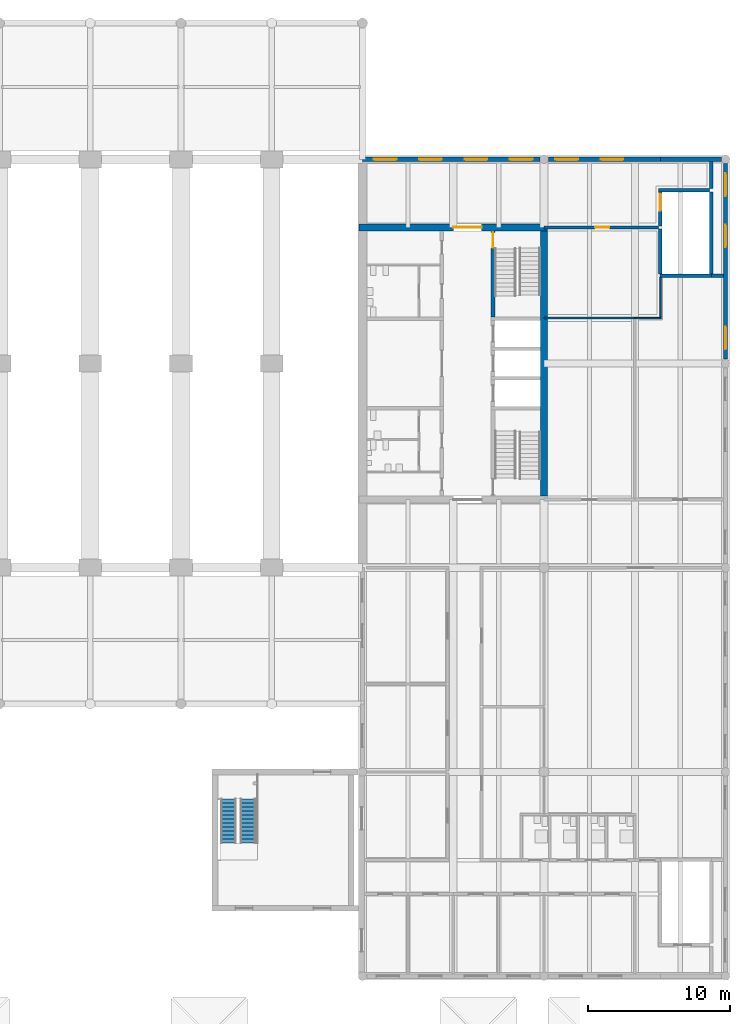
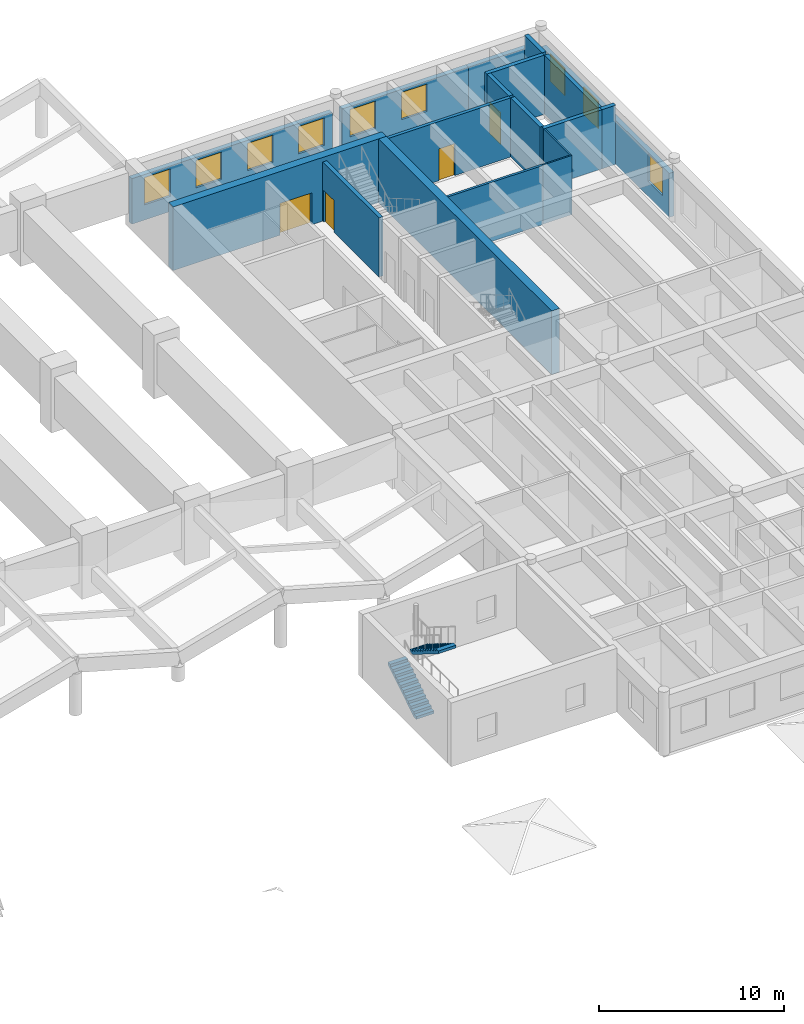
# One storey, part 13 of 19: 18 walls, 9 windows, 4 doors, 2 stair flights, 13 openings, 1 element without a shape of its own.
"""IFC4 building model written with IfcOpenShell, lengths in metres."""

from ifc_helpers import new_model, si_unit, direction, frame, frame_2d, origin, place, context, subcontext, project, spatial, polyline, rectangle, outline, extrude, material, layer, layer_set, type_object, element, fill, aggregate, save


model = new_model("IFC4")

# Units and contexts
model_context = context("Model", 3, precision=1e-05, world=origin(), true_north=direction((0.0, 1.0)))
body_context = subcontext(model_context, "Body", "Model", "MODEL_VIEW")
ifc_project = project(units=[si_unit("LENGTHUNIT", "METRE"), si_unit("AREAUNIT", "SQUARE_METRE"), si_unit("VOLUMEUNIT", "CUBIC_METRE"), si_unit("PLANEANGLEUNIT", "RADIAN"), si_unit("MASSUNIT", "GRAM", prefix="KILO")], contexts=[model_context])

# Site, building, storey
site_placement = place(None, origin())
site = spatial("IfcSite", under=ifc_project, at=site_placement, CompositionType="ELEMENT")
building_placement = place(site_placement, origin())
building = spatial("IfcBuilding", under=site, at=building_placement, Name="Fogon Plaza Fire Station and Headquarters Tower", CompositionType="ELEMENT")
storey_placement = place(building_placement, frame((0.0, 0.0, 4.199951171875)))
storey = spatial("IfcBuildingStorey", under=building, at=storey_placement, Name="L01", CompositionType="ELEMENT", Elevation=4.199951171875)

# Wall
ifc_material_1 = material(Name="Acoustic Gypsum Partition")
ifc_layer_1 = layer(ifc_material_1, 0.14990234375)
ifc_layer_set_1 = layer_set([ifc_layer_1], Name="Acoustic Gypsum Partition")
wall_type_1 = type_object("IfcWallType", Name="Acoustic Partition 150", PredefinedType="PARTITIONING", material=ifc_layer_set_1)
wall_1_placement = place(storey_placement, frame((83.199951171875, 46.39990234375, 0.0), z_axis=(0.0, 0.0, 1.0), x_axis=(-1.0, 0.0, 0.0)))
element("IfcWall", 1, at=wall_1_placement, inside=storey, type_object=wall_type_1, Name="wall-L01-E-031", PredefinedType="PARTITIONING", context=body_context, shape_type="SweptSolid", body=[
    extrude(rectangle(XDim=6.39990234375, YDim=0.14990234375, at=frame_2d((3.199951171875, 0.0))), origin(), (0.0, 0.0, 1.0), 3.900146484375),
])

# Wall, openings, windows
ifc_material_2 = material(Name="Concrete C40", Category="concrete")
ifc_layer_2 = layer(ifc_material_2, 0.300048828125)
ifc_layer_set_2 = layer_set([ifc_layer_2], Name="Concrete C40")
wall_type_2 = type_object("IfcWallType", Name="Board-marked RC Infill Wall 300", PredefinedType="SOLIDWALL", material=ifc_layer_set_2)
wall_2_placement = place(storey_placement, frame((64.0, 57.60009765625, 0.0), z_axis=(0.0, 0.0, 1.0), x_axis=(1.0, 0.0, 0.0)))
wall_2 = element("IfcWall", 2, at=wall_2_placement, inside=storey, type_object=wall_type_2, Name="Exterior wall EN L01", PredefinedType="SOLIDWALL", context=body_context, shape_type="SweptSolid", body=[
    extrude(rectangle(XDim=12.5, YDim=0.300048828125, at=frame_2d((6.25, 0.0))), origin(), (0.0, 0.0, 1.0), 3.0),
])
opening_1_placement = place(wall_2_placement, frame((0.800048828125, 0.0, 1.0)))
opening_1 = element("IfcOpeningElement", 3, at=opening_1_placement, cuts=wall_2, Name="Opening W1", PredefinedType="OPENING", context=body_context, shape_type="SweptSolid", body=[
    extrude(rectangle(XDim=1.60009765625, YDim=1.800048828125, at=frame_2d((0.800048828125, 0.89990234375))), frame((0.0, 0.159912109375, 0.0), z_axis=(0.0, -1.0, 0.0), x_axis=(1.0, 0.0, 0.0)), (0.0, 0.0, 1.0), 0.320068359375),
])
opening_2_placement = place(wall_2_placement, frame((4.0, 0.0, 1.0)))
opening_2 = element("IfcOpeningElement", 4, at=opening_2_placement, cuts=wall_2, Name="Opening W1", PredefinedType="OPENING", context=body_context, shape_type="SweptSolid", body=[
    extrude(rectangle(XDim=1.60009765625, YDim=1.800048828125, at=frame_2d((0.800048828125, 0.89990234375))), frame((0.0, 0.159912109375, 0.0), z_axis=(0.0, -1.0, 0.0), x_axis=(1.0, 0.0, 0.0)), (0.0, 0.0, 1.0), 0.320068359375),
])
opening_3_placement = place(wall_2_placement, frame((7.199951171875, 0.0, 1.0)))
opening_3 = element("IfcOpeningElement", 5, at=opening_3_placement, cuts=wall_2, Name="Opening W1", PredefinedType="OPENING", context=body_context, shape_type="SweptSolid", body=[
    extrude(rectangle(XDim=1.60009765625, YDim=1.800048828125, at=frame_2d((0.800048828125, 0.89990234375))), frame((0.0, 0.159912109375, 0.0), z_axis=(0.0, -1.0, 0.0), x_axis=(1.0, 0.0, 0.0)), (0.0, 0.0, 1.0), 0.320068359375),
])
opening_4_placement = place(wall_2_placement, frame((10.39990234375, 0.0, 1.0)))
opening_4 = element("IfcOpeningElement", 6, at=opening_4_placement, cuts=wall_2, Name="Opening W1", PredefinedType="OPENING", context=body_context, shape_type="SweptSolid", body=[
    extrude(rectangle(XDim=1.60009765625, YDim=1.800048828125, at=frame_2d((0.800048828125, 0.89990234375))), frame((0.0, 0.159912109375, 0.0), z_axis=(0.0, -1.0, 0.0), x_axis=(1.0, 0.0, 0.0)), (0.0, 0.0, 1.0), 0.320068359375),
])
ifc_material_3 = material(Name="Aluminium framed double glazing", Category="aluminium")
window_type = type_object("IfcWindowType", Name="Window W1 1600x1800", PartitioningType="SINGLE_PANEL", PredefinedType="WINDOW", material=ifc_material_3)
window_1_placement = place(opening_1_placement, origin())
window_1 = element("IfcWindow", 7, at=window_1_placement, inside=storey, type_object=window_type, Name="Window W1 N L01", OverallHeight=1.800048828125, OverallWidth=1.60009765625, PartitioningType="SINGLE_PANEL", PredefinedType="WINDOW", context=body_context, shape_type="SweptSolid", body=[
    extrude(rectangle(XDim=1.60009765625, YDim=1.800048828125, at=frame_2d((0.800048828125, 0.89990234375))), frame((0.0, 0.030029296875, 0.0), z_axis=(0.0, -1.0, 0.0), x_axis=(1.0, 0.0, 0.0)), (0.0, 0.0, 1.0), 0.06005859375),
])
fill(opening_1, window_1)
window_2_placement = place(opening_2_placement, origin())
window_2 = element("IfcWindow", 8, at=window_2_placement, inside=storey, type_object=window_type, Name="Window W1 N L01", OverallHeight=1.800048828125, OverallWidth=1.60009765625, PartitioningType="SINGLE_PANEL", PredefinedType="WINDOW", context=body_context, shape_type="SweptSolid", body=[
    extrude(rectangle(XDim=1.60009765625, YDim=1.800048828125, at=frame_2d((0.800048828125, 0.89990234375))), frame((0.0, 0.030029296875, 0.0), z_axis=(0.0, -1.0, 0.0), x_axis=(1.0, 0.0, 0.0)), (0.0, 0.0, 1.0), 0.06005859375),
])
fill(opening_2, window_2)
window_3_placement = place(opening_3_placement, origin())
window_3 = element("IfcWindow", 9, at=window_3_placement, inside=storey, type_object=window_type, Name="Window W1 N L01", OverallHeight=1.800048828125, OverallWidth=1.60009765625, PartitioningType="SINGLE_PANEL", PredefinedType="WINDOW", context=body_context, shape_type="SweptSolid", body=[
    extrude(rectangle(XDim=1.60009765625, YDim=1.800048828125, at=frame_2d((0.800048828125, 0.89990234375))), frame((0.0, 0.030029296875, 0.0), z_axis=(0.0, -1.0, 0.0), x_axis=(1.0, 0.0, 0.0)), (0.0, 0.0, 1.0), 0.06005859375),
])
fill(opening_3, window_3)
window_4_placement = place(opening_4_placement, origin())
window_4 = element("IfcWindow", 10, at=window_4_placement, inside=storey, type_object=window_type, Name="Window W1 N L01", OverallHeight=1.800048828125, OverallWidth=1.60009765625, PartitioningType="SINGLE_PANEL", PredefinedType="WINDOW", context=body_context, shape_type="SweptSolid", body=[
    extrude(rectangle(XDim=1.60009765625, YDim=1.800048828125, at=frame_2d((0.800048828125, 0.89990234375))), frame((0.0, 0.030029296875, 0.0), z_axis=(0.0, -1.0, 0.0), x_axis=(1.0, 0.0, 0.0)), (0.0, 0.0, 1.0), 0.06005859375),
])
fill(opening_4, window_4)

wall_3_placement = place(storey_placement, frame((77.10009765625, 57.60009765625, 0.0), z_axis=(0.0, 0.0, 1.0), x_axis=(1.0, 0.0, 0.0)))
wall_3 = element("IfcWall", 11, at=wall_3_placement, inside=storey, type_object=wall_type_2, Name="Exterior wall EN L01", PredefinedType="SOLIDWALL", context=body_context, shape_type="SweptSolid", body=[
    extrude(rectangle(XDim=7.89990234375, YDim=0.300048828125, at=frame_2d((3.949951171875, 0.0))), origin(), (0.0, 0.0, 1.0), 3.0),
])
opening_5_placement = place(wall_3_placement, frame((0.5, 0.0, 1.0)))
opening_5 = element("IfcOpeningElement", 12, at=opening_5_placement, cuts=wall_3, Name="Opening W1", PredefinedType="OPENING", context=body_context, shape_type="SweptSolid", body=[
    extrude(rectangle(XDim=1.60009765625, YDim=1.800048828125, at=frame_2d((0.800048828125, 0.89990234375))), frame((0.0, 0.159912109375, 0.0), z_axis=(0.0, -1.0, 0.0), x_axis=(1.0, 0.0, 0.0)), (0.0, 0.0, 1.0), 0.320068359375),
])
opening_6_placement = place(wall_3_placement, frame((3.699951171875, 0.0, 1.0)))
opening_6 = element("IfcOpeningElement", 13, at=opening_6_placement, cuts=wall_3, Name="Opening W1", PredefinedType="OPENING", context=body_context, shape_type="SweptSolid", body=[
    extrude(rectangle(XDim=1.60009765625, YDim=1.800048828125, at=frame_2d((0.800048828125, 0.89990234375))), frame((0.0, 0.159912109375, 0.0), z_axis=(0.0, -1.0, 0.0), x_axis=(1.0, 0.0, 0.0)), (0.0, 0.0, 1.0), 0.320068359375),
])
window_5_placement = place(opening_5_placement, origin())
window_5 = element("IfcWindow", 14, at=window_5_placement, inside=storey, type_object=window_type, Name="Window W1 N L01", OverallHeight=1.800048828125, OverallWidth=1.60009765625, PartitioningType="SINGLE_PANEL", PredefinedType="WINDOW", context=body_context, shape_type="SweptSolid", body=[
    extrude(rectangle(XDim=1.60009765625, YDim=1.800048828125, at=frame_2d((0.800048828125, 0.89990234375))), frame((0.0, 0.030029296875, 0.0), z_axis=(0.0, -1.0, 0.0), x_axis=(1.0, 0.0, 0.0)), (0.0, 0.0, 1.0), 0.06005859375),
])
fill(opening_5, window_5)
window_6_placement = place(opening_6_placement, origin())
window_6 = element("IfcWindow", 15, at=window_6_placement, inside=storey, type_object=window_type, Name="Window W1 N L01", OverallHeight=1.800048828125, OverallWidth=1.60009765625, PartitioningType="SINGLE_PANEL", PredefinedType="WINDOW", context=body_context, shape_type="SweptSolid", body=[
    extrude(rectangle(XDim=1.60009765625, YDim=1.800048828125, at=frame_2d((0.800048828125, 0.89990234375))), frame((0.0, 0.030029296875, 0.0), z_axis=(0.0, -1.0, 0.0), x_axis=(1.0, 0.0, 0.0)), (0.0, 0.0, 1.0), 0.06005859375),
])
fill(opening_6, window_6)

ifc_material_4 = material(Name="Concrete C40", Category="concrete")
ifc_layer_3 = layer(ifc_material_4, 0.300048828125)
ifc_layer_set_3 = layer_set([ifc_layer_3], Name="Concrete C40")
wall_type_3 = type_object("IfcWallType", Name="Board-marked RC Infill Wall 300 Beam Head 100", PredefinedType="SOLIDWALL", material=ifc_layer_set_3)
wall_4_placement = place(storey_placement, frame((89.60009765625, 43.5, 0.0), z_axis=(0.0, 0.0, 1.0), x_axis=(0.0, 1.0, 0.0)))
wall_4 = element("IfcWall", 16, at=wall_4_placement, inside=storey, type_object=wall_type_3, Name="Exterior wall EE L01", PredefinedType="SOLIDWALL", context=body_context, shape_type="SweptSolid", body=[
    extrude(rectangle(XDim=13.800048828125, YDim=0.300048828125, at=frame_2d((6.89990234375, 0.0))), origin(), (0.0, 0.0, 1.0), 2.900146484375),
])
opening_7_placement = place(wall_4_placement, frame((0.699951171875, 0.0, 1.0)))
opening_7 = element("IfcOpeningElement", 17, at=opening_7_placement, cuts=wall_4, Name="Opening W1", PredefinedType="OPENING", context=body_context, shape_type="SweptSolid", body=[
    extrude(rectangle(XDim=1.60009765625, YDim=1.800048828125, at=frame_2d((0.800048828125, 0.89990234375))), frame((0.0, 0.159912109375, 0.0), z_axis=(0.0, -1.0, 0.0), x_axis=(1.0, 0.0, 0.0)), (0.0, 0.0, 1.0), 0.320068359375),
])
opening_8_placement = place(wall_4_placement, frame((7.89990234375, 0.0, 1.0)))
opening_8 = element("IfcOpeningElement", 18, at=opening_8_placement, cuts=wall_4, Name="Opening W1", PredefinedType="OPENING", context=body_context, shape_type="SweptSolid", body=[
    extrude(rectangle(XDim=1.60009765625, YDim=1.800048828125, at=frame_2d((0.800048828125, 0.89990234375))), frame((0.0, 0.159912109375, 0.0), z_axis=(0.0, -1.0, 0.0), x_axis=(1.0, 0.0, 0.0)), (0.0, 0.0, 1.0), 0.320068359375),
])
opening_9_placement = place(wall_4_placement, frame((11.5, 0.0, 1.0)))
opening_9 = element("IfcOpeningElement", 19, at=opening_9_placement, cuts=wall_4, Name="Opening W1", PredefinedType="OPENING", context=body_context, shape_type="SweptSolid", body=[
    extrude(rectangle(XDim=1.60009765625, YDim=1.800048828125, at=frame_2d((0.800048828125, 0.89990234375))), frame((0.0, 0.159912109375, 0.0), z_axis=(0.0, -1.0, 0.0), x_axis=(1.0, 0.0, 0.0)), (0.0, 0.0, 1.0), 0.320068359375),
])
window_7_placement = place(opening_7_placement, origin())
window_7 = element("IfcWindow", 20, at=window_7_placement, inside=storey, type_object=window_type, Name="Window W1 E L01", OverallHeight=1.800048828125, OverallWidth=1.60009765625, PartitioningType="SINGLE_PANEL", PredefinedType="WINDOW", context=body_context, shape_type="SweptSolid", body=[
    extrude(rectangle(XDim=1.60009765625, YDim=1.800048828125, at=frame_2d((0.800048828125, 0.89990234375))), frame((0.0, 0.030029296875, 0.0), z_axis=(0.0, -1.0, 0.0), x_axis=(1.0, 0.0, 0.0)), (0.0, 0.0, 1.0), 0.06005859375),
])
fill(opening_7, window_7)
window_8_placement = place(opening_8_placement, origin())
window_8 = element("IfcWindow", 21, at=window_8_placement, inside=storey, type_object=window_type, Name="Window W1 E L01", OverallHeight=1.800048828125, OverallWidth=1.60009765625, PartitioningType="SINGLE_PANEL", PredefinedType="WINDOW", context=body_context, shape_type="SweptSolid", body=[
    extrude(rectangle(XDim=1.60009765625, YDim=1.800048828125, at=frame_2d((0.800048828125, 0.89990234375))), frame((0.0, 0.030029296875, 0.0), z_axis=(0.0, -1.0, 0.0), x_axis=(1.0, 0.0, 0.0)), (0.0, 0.0, 1.0), 0.06005859375),
])
fill(opening_8, window_8)
window_9_placement = place(opening_9_placement, origin())
window_9 = element("IfcWindow", 22, at=window_9_placement, inside=storey, type_object=window_type, Name="Window W1 E L01", OverallHeight=1.800048828125, OverallWidth=1.60009765625, PartitioningType="SINGLE_PANEL", PredefinedType="WINDOW", context=body_context, shape_type="SweptSolid", body=[
    extrude(rectangle(XDim=1.60009765625, YDim=1.800048828125, at=frame_2d((0.800048828125, 0.89990234375))), frame((0.0, 0.030029296875, 0.0), z_axis=(0.0, -1.0, 0.0), x_axis=(1.0, 0.0, 0.0)), (0.0, 0.0, 1.0), 0.06005859375),
])
fill(opening_9, window_9)

# Wall
ifc_material_5 = material(Name="Concrete C40", Category="concrete")
ifc_layer_4 = layer(ifc_material_5, 0.300048828125)
ifc_layer_set_4 = layer_set([ifc_layer_4], Name="Concrete C40")
wall_type_4 = type_object("IfcWallType", Name="Board-marked RC Infill Wall 300 EI 120", PredefinedType="SOLIDWALL", material=ifc_layer_set_4)
wall_5_placement = place(storey_placement, frame((85.0, 57.60009765625, 0.0), z_axis=(0.0, 0.0, 1.0), x_axis=(1.0, 0.0, 0.0)))
element("IfcWall", 23, at=wall_5_placement, inside=storey, type_object=wall_type_4, Name="Exterior wall EN L01", PredefinedType="SOLIDWALL", context=body_context, shape_type="SweptSolid", body=[
    extrude(rectangle(XDim=4.300048828125, YDim=0.300048828125, at=frame_2d((2.14990234375, 0.0))), origin(), (0.0, 0.0, 1.0), 3.0),
])

# Wall, opening, door
ifc_material_6 = material(Name="Concrete C40", Category="concrete")
ifc_layer_5 = layer(ifc_material_6, 0.25)
ifc_layer_set_5 = layer_set([ifc_layer_5], Name="Concrete C40")
wall_type_5 = type_object("IfcWallType", Name="Core Wall RC 250", PredefinedType="SOLIDWALL", material=ifc_layer_set_5)
wall_6_placement = place(storey_placement, frame((73.199951171875, 46.47509765625, 0.0), z_axis=(0.0, 0.0, 1.0), x_axis=(0.0, 1.0, 0.0)))
wall_6 = element("IfcWall", 24, at=wall_6_placement, inside=storey, type_object=wall_type_5, Name="Core B shaft wall", PredefinedType="SOLIDWALL", context=body_context, shape_type="SweptSolid", body=[
    extrude(rectangle(XDim=6.074951171875, YDim=0.25, at=frame_2d((3.03759765625, 0.0))), origin(), (0.0, 0.0, 1.0), 3.900146484375),
])
opening_10_placement = place(wall_6_placement, frame((4.875, 0.0, 0.0)))
opening_10 = element("IfcOpeningElement", 25, at=opening_10_placement, cuts=wall_6, Name="Opening L01-D17", PredefinedType="OPENING", context=body_context, shape_type="SweptSolid", body=[
    extrude(rectangle(XDim=1.10009765625, YDim=2.10009765625, at=frame_2d((0.550048828125, 1.050048828125))), frame((0.0, 0.135009765625, 0.0), z_axis=(0.0, -1.0, 0.0), x_axis=(1.0, 0.0, 0.0)), (0.0, 0.0, 1.0), 0.27001953125),
])
ifc_material_7 = material(Name="Steel Fire Door Leaf", Category="steel")
door_type_1 = type_object("IfcDoorType", Name="Stair Door Single 1100x2100", OperationType="SINGLE_SWING_LEFT", PredefinedType="DOOR", material=ifc_material_7)
door_1_placement = place(opening_10_placement, frame((1.10009765625, 0.0, 0.0), z_axis=(0.0, 0.0, 1.0), x_axis=(-1.0, 0.0, 0.0)))
door_1 = element("IfcDoor", 26, at=door_1_placement, inside=storey, type_object=door_type_1, Name="Stair door ST4", OperationType="SINGLE_SWING_LEFT", OverallHeight=2.10009765625, OverallWidth=1.10009765625, PredefinedType="DOOR", context=body_context, shape_type="SweptSolid", body=[
    extrude(rectangle(XDim=1.10009765625, YDim=2.10009765625, at=frame_2d((0.550048828125, 1.050048828125))), frame((0.0, 0.02490234375, 0.0), z_axis=(0.0, -1.0, 0.0), x_axis=(1.0, 0.0, 0.0)), (0.0, 0.0, 1.0), 0.050048828125),
])
fill(opening_10, door_1)

ifc_material_8 = material(Name="Gypsum Board Fire Partition")
ifc_layer_6 = layer(ifc_material_8, 0.199951171875)
ifc_layer_set_6 = layer_set([ifc_layer_6], Name="Gypsum Board Fire Partition")
wall_type_6 = type_object("IfcWallType", Name="Corridor Wall EI 60", PredefinedType="PARTITIONING", material=ifc_layer_set_6)
wall_7_placement = place(storey_placement, frame((84.875, 52.800048828125, 0.0), z_axis=(0.0, 0.0, 1.0), x_axis=(-1.0, 0.0, 0.0)))
wall_7 = element("IfcWall", 27, at=wall_7_placement, inside=storey, type_object=wall_type_6, Name="wall-L01-E-034", PredefinedType="PARTITIONING", context=body_context, shape_type="SweptSolid", body=[
    extrude(rectangle(XDim=8.074951171875, YDim=0.199951171875, at=frame_2d((4.03759765625, 0.0))), origin(), (0.0, 0.0, 1.0), 3.900146484375),
])
opening_11_placement = place(wall_7_placement, frame((3.47509765625, 0.0, 0.0)))
opening_11 = element("IfcOpeningElement", 28, at=opening_11_placement, cuts=wall_7, Name="Opening L01-D79", PredefinedType="OPENING", context=body_context, shape_type="SweptSolid", body=[
    extrude(rectangle(XDim=1.0, YDim=2.10009765625, at=frame_2d((0.5, 1.050048828125))), frame((0.0, 0.10986328125, 0.0), z_axis=(0.0, -1.0, 0.0), x_axis=(1.0, 0.0, 0.0)), (0.0, 0.0, 1.0), 0.219970703125),
])
ifc_material_9 = material(Name="Steel Fire Door Leaf", Category="steel")
door_type_2 = type_object("IfcDoorType", Name="Corridor Door EI 20 1000x2100", OperationType="SINGLE_SWING_LEFT", PredefinedType="DOOR", material=ifc_material_9)
door_2_placement = place(opening_11_placement, origin())
door_2 = element("IfcDoor", 29, at=door_2_placement, inside=storey, type_object=door_type_2, Name="door-L01-E-21", OperationType="SINGLE_SWING_RIGHT", OverallHeight=2.10009765625, OverallWidth=1.0, PredefinedType="DOOR", context=body_context, shape_type="SweptSolid", body=[
    extrude(rectangle(XDim=1.0, YDim=2.10009765625, at=frame_2d((0.5, 1.050048828125))), frame((0.0, 0.02490234375, 0.0), z_axis=(0.0, -1.0, 0.0), x_axis=(1.0, 0.0, 0.0)), (0.0, 0.0, 1.0), 0.050048828125),
])
fill(opening_11, door_2)

# Walls
ifc_material_10 = material(Name="Gypsum Board Partition")
ifc_layer_7 = layer(ifc_material_10, 0.10009765625)
ifc_layer_set_7 = layer_set([ifc_layer_7], Name="Gypsum Board Partition")
wall_type_7 = type_object("IfcWallType", Name="Partition Gypsum 100", PredefinedType="PARTITIONING", material=ifc_layer_set_7)
wall_8_placement = place(storey_placement, frame((85.050048828125, 46.39990234375, 0.0), z_axis=(0.0, 0.0, 1.0), x_axis=(-1.0, 0.0, 0.0)))
element("IfcWall", 30, at=wall_8_placement, inside=storey, type_object=wall_type_7, Name="wall-L01-E-030", PredefinedType="PARTITIONING", context=body_context, shape_type="SweptSolid", body=[
    extrude(rectangle(XDim=1.85009765625, YDim=0.10009765625, at=frame_2d((0.925048828125, 0.0))), origin(), (0.0, 0.0, 1.0), 3.900146484375),
])
wall_9_placement = place(storey_placement, frame((85.0, 46.449951171875, 0.0), z_axis=(0.0, 0.0, 1.0), x_axis=(0.0, 1.0, 0.0)))
element("IfcWall", 31, at=wall_9_placement, inside=storey, type_object=wall_type_7, Name="wall-L01-E-042", PredefinedType="PARTITIONING", context=body_context, shape_type="SweptSolid", body=[
    extrude(rectangle(XDim=2.824951171875, YDim=0.10009765625, at=frame_2d((1.41259765625, 0.0))), origin(), (0.0, 0.0, 1.0), 3.900146484375),
])

# Wall, opening, door
ifc_material_11 = material(Name="Concrete C40", Category="concrete")
ifc_layer_8 = layer(ifc_material_11, 0.5)
ifc_layer_set_8 = layer_set([ifc_layer_8], Name="Concrete C40")
wall_type_8 = type_object("IfcWallType", Name="Shear wall 500 SW50", PredefinedType="SHEAR", material=ifc_layer_set_8)
wall_10_placement = place(storey_placement, frame((63.75, 52.800048828125, 0.0), z_axis=(0.0, 0.0, 1.0), x_axis=(1.0, 0.0, 0.0)))
wall_10 = element("IfcWall", 32, at=wall_10_placement, inside=storey, type_object=wall_type_8, Name="wall-coreB-N-L01", PredefinedType="SHEAR", context=body_context, shape_type="SweptSolid", body=[
    extrude(rectangle(XDim=13.300048828125, YDim=0.5, at=frame_2d((6.64990234375, 0.0))), origin(), (0.0, 0.0, 1.0), 4.199951171875),
])
opening_12_placement = place(wall_10_placement, frame((6.64990234375, 0.0, 0.0)))
opening_12 = element("IfcOpeningElement", 33, at=opening_12_placement, cuts=wall_10, Name="Opening L01-D30", PredefinedType="OPENING", context=body_context, shape_type="SweptSolid", body=[
    extrude(rectangle(XDim=2.0, YDim=2.10009765625, at=frame_2d((1.0, 1.050048828125))), frame((0.0, 0.260009765625, 0.0), z_axis=(0.0, -1.0, 0.0), x_axis=(1.0, 0.0, 0.0)), (0.0, 0.0, 1.0), 0.52001953125),
])
ifc_material_12 = material(Name="Steel Fire Door Leaf", Category="steel")
door_type_3 = type_object("IfcDoorType", Name="Core Lobby Double 2000x2100", OperationType="DOUBLE_DOOR_SINGLE_SWING", PredefinedType="DOOR", material=ifc_material_12)
door_3_placement = place(opening_12_placement, frame((2.0, 0.0, 0.0), z_axis=(0.0, 0.0, 1.0), x_axis=(-1.0, 0.0, 0.0)))
door_3 = element("IfcDoor", 34, at=door_3_placement, inside=storey, type_object=door_type_3, Name="Core B lobby door N", OperationType="DOUBLE_DOOR_SINGLE_SWING", OverallHeight=2.10009765625, OverallWidth=2.0, PredefinedType="DOOR", context=body_context, shape_type="SweptSolid", body=[
    extrude(rectangle(XDim=2.0, YDim=2.10009765625, at=frame_2d((1.0, 1.050048828125))), frame((0.0, 0.02490234375, 0.0), z_axis=(0.0, -1.0, 0.0), x_axis=(1.0, 0.0, 0.0)), (0.0, 0.0, 1.0), 0.050048828125),
])
fill(opening_12, door_3)

# Walls
wall_11_placement = place(storey_placement, frame((76.800048828125, 33.85009765625, 0.0), z_axis=(0.0, 0.0, 1.0), x_axis=(0.0, 1.0, 0.0)))
element("IfcWall", 35, at=wall_11_placement, inside=storey, type_object=wall_type_8, Name="wall-coreB-E-L01", PredefinedType="SHEAR", context=body_context, shape_type="SweptSolid", body=[
    extrude(rectangle(XDim=18.699951171875, YDim=0.5, at=frame_2d((9.35009765625, 0.0))), origin(), (0.0, 0.0, 1.0), 4.199951171875),
])
ifc_material_13 = material(Name="Concrete C40", Category="concrete")
ifc_layer_9 = layer(ifc_material_13, 0.25)
ifc_layer_set_9 = layer_set([ifc_layer_9], Name="Concrete C40")
wall_type_9 = type_object("IfcWallType", Name="Stair Shaft Wall RC 250", PredefinedType="SHEAR", material=ifc_layer_set_9)
wall_12_placement = place(storey_placement, frame((88.60009765625, 49.39990234375, 0.0), z_axis=(0.0, 0.0, 1.0), x_axis=(-1.0, 0.0, 0.0)))
element("IfcWall", 36, at=wall_12_placement, inside=storey, type_object=wall_type_9, Name="wall-L01-E-033", PredefinedType="SHEAR", context=body_context, shape_type="SweptSolid", body=[
    extrude(rectangle(XDim=3.610107421875, YDim=0.25, at=frame_2d((1.80517578125, 0.0))), origin(), (0.0, 0.0, 1.0), 3.900146484375),
])
wall_13_placement = place(storey_placement, frame((88.47509765625, 55.39990234375, 0.0), z_axis=(0.0, 0.0, 1.0), x_axis=(-1.0, 0.0, 0.0)))
element("IfcWall", 37, at=wall_13_placement, inside=storey, type_object=wall_type_9, Name="wall-L01-E-035", PredefinedType="SHEAR", context=body_context, shape_type="SweptSolid", body=[
    extrude(rectangle(XDim=3.60009765625, YDim=0.25, at=frame_2d((1.800048828125, 0.0))), origin(), (0.0, 0.0, 1.0), 3.900146484375),
])
wall_14_placement = place(storey_placement, frame((88.60009765625, 49.52490234375, 0.0), z_axis=(0.0, 0.0, 1.0), x_axis=(0.0, 1.0, 0.0)))
element("IfcWall", 38, at=wall_14_placement, inside=storey, type_object=wall_type_9, Name="wall-L01-E-038", PredefinedType="SHEAR", context=body_context, shape_type="SweptSolid", body=[
    extrude(rectangle(XDim=5.75, YDim=0.25, at=frame_2d((2.875, 0.0))), origin(), (0.0, 0.0, 1.0), 3.900146484375),
])
wall_15_placement = place(storey_placement, frame((85.0, 49.52490234375, 0.0), z_axis=(0.0, 0.0, 1.0), x_axis=(0.0, 1.0, 0.0)))
element("IfcWall", 39, at=wall_15_placement, inside=storey, type_object=wall_type_9, Name="wall-L01-E-043", PredefinedType="SHEAR", context=body_context, shape_type="SweptSolid", body=[
    extrude(rectangle(XDim=3.175048828125, YDim=0.25, at=frame_2d((1.58740234375, 0.0))), origin(), (0.0, 0.0, 1.0), 3.900146484375),
])

# Wall, opening, door
wall_16_placement = place(storey_placement, frame((85.0, 52.89990234375, 0.0), z_axis=(0.0, 0.0, 1.0), x_axis=(0.0, 1.0, 0.0)))
wall_16 = element("IfcWall", 40, at=wall_16_placement, inside=storey, type_object=wall_type_9, Name="wall-L01-E-044", PredefinedType="SHEAR", context=body_context, shape_type="SweptSolid", body=[
    extrude(rectangle(XDim=2.375, YDim=0.25, at=frame_2d((1.1875, 0.0))), origin(), (0.0, 0.0, 1.0), 3.900146484375),
])
opening_13_placement = place(wall_16_placement, frame((1.074951171875, 0.0, 0.0)))
opening_13 = element("IfcOpeningElement", 41, at=opening_13_placement, cuts=wall_16, Name="Opening L01-D80", PredefinedType="OPENING", context=body_context, shape_type="SweptSolid", body=[
    extrude(rectangle(XDim=1.199951171875, YDim=2.10009765625, at=frame_2d((0.60009765625, 1.050048828125))), frame((0.0, 0.135009765625, 0.0), z_axis=(0.0, -1.0, 0.0), x_axis=(1.0, 0.0, 0.0)), (0.0, 0.0, 1.0), 0.27001953125),
])
ifc_material_14 = material(Name="Steel Fire Door Leaf", Category="steel")
door_type_4 = type_object("IfcDoorType", Name="Stair Door EI 90 1200x2100", OperationType="SINGLE_SWING_LEFT", PredefinedType="DOOR", material=ifc_material_14)
door_4_placement = place(opening_13_placement, frame((1.199951171875, 0.0, 0.0), z_axis=(0.0, 0.0, 1.0), x_axis=(-1.0, 0.0, 0.0)))
door_4 = element("IfcDoor", 42, at=door_4_placement, inside=storey, type_object=door_type_4, Name="door-L01-E-22", OperationType="SINGLE_SWING_LEFT", OverallHeight=2.10009765625, OverallWidth=1.199951171875, PredefinedType="DOOR", context=body_context, shape_type="SweptSolid", body=[
    extrude(rectangle(XDim=1.199951171875, YDim=2.10009765625, at=frame_2d((0.60009765625, 1.050048828125))), frame((0.0, 0.02490234375, 0.0), z_axis=(0.0, -1.0, 0.0), x_axis=(1.0, 0.0, 0.0)), (0.0, 0.0, 1.0), 0.050048828125),
])
fill(opening_13, door_4)

# Walls
ifc_material_15 = material(Name="Concrete Block Fire Wall", Category="concrete")
ifc_layer_10 = layer(ifc_material_15, 0.25)
ifc_layer_set_10 = layer_set([ifc_layer_10], Name="Concrete Block Fire Wall")
wall_type_10 = type_object("IfcWallType", Name="Stair and Shaft Wall EI 120", PredefinedType="PARTITIONING", material=ifc_layer_set_10)
wall_17_placement = place(storey_placement, frame((89.449951171875, 49.39990234375, 0.0), z_axis=(0.0, 0.0, 1.0), x_axis=(-1.0, 0.0, 0.0)))
element("IfcWall", 43, at=wall_17_placement, inside=storey, type_object=wall_type_10, Name="wall-L01-E-032", PredefinedType="PARTITIONING", context=body_context, shape_type="SweptSolid", body=[
    extrude(rectangle(XDim=0.849853515625, YDim=0.25, at=frame_2d((0.4248046875, 0.0))), origin(), (0.0, 0.0, 1.0), 3.900146484375),
])
wall_18_placement = place(storey_placement, frame((88.60009765625, 55.52490234375, 0.0), z_axis=(0.0, 0.0, 1.0), x_axis=(0.0, 1.0, 0.0)))
element("IfcWall", 44, at=wall_18_placement, inside=storey, type_object=wall_type_10, Name="wall-L01-E-039", PredefinedType="PARTITIONING", context=body_context, shape_type="SweptSolid", body=[
    extrude(rectangle(XDim=1.925048828125, YDim=0.25, at=frame_2d((0.96240234375, 0.0))), origin(), (0.0, 0.0, 1.0), 3.900146484375),
])

# Stair, stair flights
ifc_material_16 = material(Name="Concrete C40", Category="concrete")
stair_type = type_object("IfcStairType", Name="Drill Stair 1100", PredefinedType="HALF_TURN_STAIR", material=ifc_material_16)
stair_placement = place(storey_placement, origin())
stair = element("IfcStair", 45, at=stair_placement, inside=storey, type_object=stair_type, Name="DT1", PredefinedType="HALF_TURN_STAIR")
ifc_material_17 = material(Name="Concrete C40", Category="concrete")
stair_flight_type = type_object("IfcStairFlightType", Name="Drill Stair Flight 1100", PredefinedType="STRAIGHT", material=ifc_material_17)
stair_flight_1_placement = place(storey_placement, frame((54.550048828125, 9.39990234375, 0.0), z_axis=(0.0, 0.0, 1.0), x_axis=(0.0, 1.0, 0.0)))
stair_flight_1 = element("IfcStairFlight", 46, at=stair_flight_1_placement, type_object=stair_flight_type, Name="DT1 flight 1", NumberOfRisers=12, NumberOfTreads=11, PredefinedType="STRAIGHT", RiserHeight=0.175, TreadLength=0.28, context=body_context, shape_type="SweptSolid", body=[
    extrude(outline(polyline([(0.0, 0.0), (0.0, 0.175048828125), (0.280029296875, 0.175048828125), (0.280029296875, 0.35009765625), (0.56005859375, 0.35009765625), (0.56005859375, 0.52490234375), (0.840087890625, 0.52490234375), (0.840087890625, 0.699951171875), (1.1201171875, 0.699951171875), (1.1201171875, 0.875), (1.39990234375, 0.875), (1.39990234375, 1.050048828125), (1.679931640625, 1.050048828125), (1.679931640625, 1.22509765625), (1.9599609375, 1.22509765625), (1.9599609375, 1.39990234375), (2.239990234375, 1.39990234375), (2.239990234375, 1.574951171875), (2.52001953125, 1.574951171875), (2.52001953125, 1.75), (2.800048828125, 1.75), (2.800048828125, 1.925048828125), (3.080078125, 1.925048828125), (3.080078125, 2.10009765625), (3.080078125, 1.748291015625), (0.28271484375, 0.0), (0.0, 0.0)])), frame((0.0, 0.550048828125, 0.0), z_axis=(0.0, -1.0, 0.0), x_axis=(1.0, 0.0, 0.0)), (0.0, 0.0, 1.0), 1.10009765625),
])
stair_flight_2_placement = place(storey_placement, frame((55.929931640625, 12.47998046875, 2.10009765625), z_axis=(0.0, 0.0, 1.0), x_axis=(0.0, -1.0, 0.0)))
stair_flight_2 = element("IfcStairFlight", 47, at=stair_flight_2_placement, type_object=stair_flight_type, Name="DT1 flight 2", NumberOfRisers=12, NumberOfTreads=11, PredefinedType="STRAIGHT", RiserHeight=0.175, TreadLength=0.28, context=body_context, shape_type="SweptSolid", body=[
    extrude(outline(polyline([(0.0, 0.0), (0.0, 0.175048828125), (0.280029296875, 0.175048828125), (0.280029296875, 0.35009765625), (0.56005859375, 0.35009765625), (0.56005859375, 0.52490234375), (0.840087890625, 0.52490234375), (0.840087890625, 0.699951171875), (1.1201171875, 0.699951171875), (1.1201171875, 0.875), (1.39990234375, 0.875), (1.39990234375, 1.050048828125), (1.679931640625, 1.050048828125), (1.679931640625, 1.22509765625), (1.9599609375, 1.22509765625), (1.9599609375, 1.39990234375), (2.239990234375, 1.39990234375), (2.239990234375, 1.574951171875), (2.52001953125, 1.574951171875), (2.52001953125, 1.75), (2.800048828125, 1.75), (2.800048828125, 1.925048828125), (3.080078125, 1.925048828125), (3.080078125, 2.10009765625), (3.080078125, 1.748291015625), (0.28271484375, 0.0), (0.0, 0.0)])), frame((0.0, 0.550048828125, 0.0), z_axis=(0.0, -1.0, 0.0), x_axis=(1.0, 0.0, 0.0)), (0.0, 0.0, 1.0), 1.10009765625),
])
aggregate(stair, [stair_flight_1, stair_flight_2])

save(model, "model.ifc")
